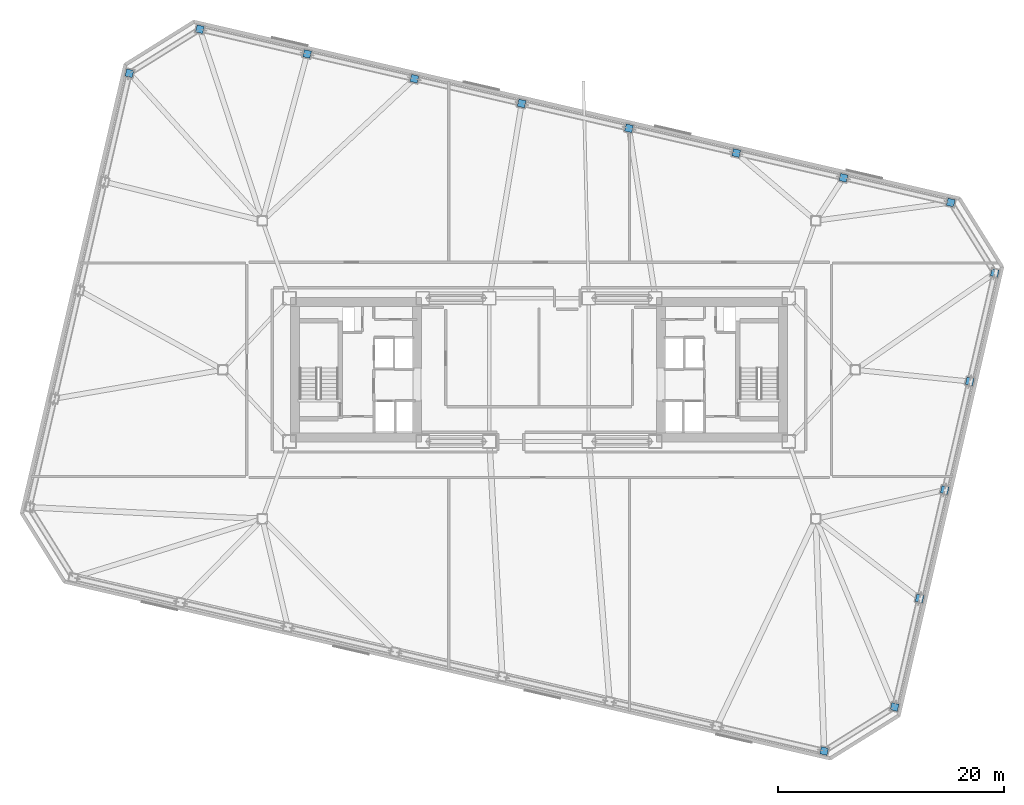
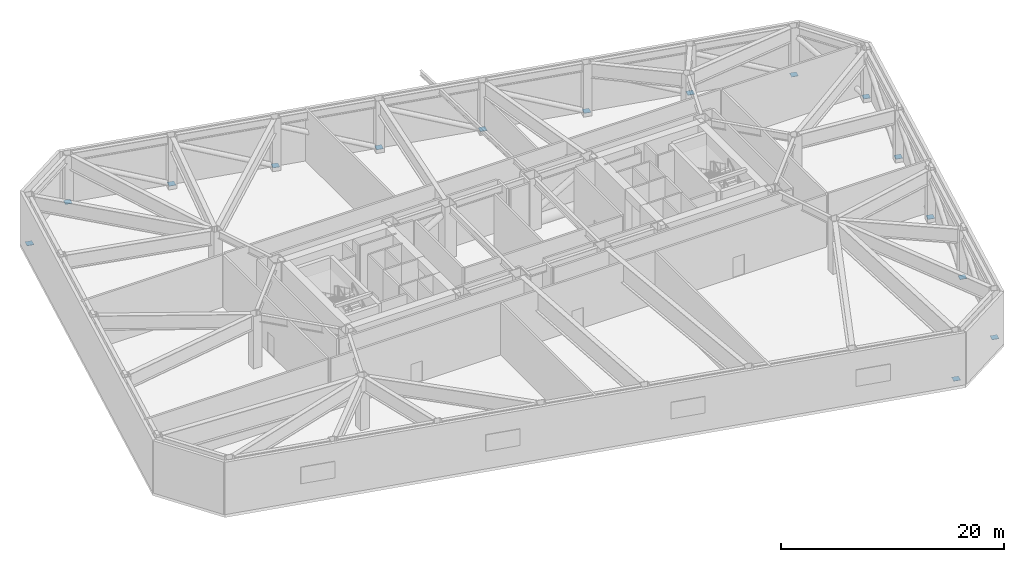
# One storey, part 8 of 15: 15 discrete accessories.
"""IFC4 building model written with IfcOpenShell, lengths in metres."""

from ifc_helpers import new_model, si_unit, direction, frame, origin, origin_2d, place, context, subcontext, project, spatial, rectangle, extrude, material, type_object, element, save


model = new_model("IFC4")

# Units and contexts
model_context = context("Model", 3, precision=1e-05, world=origin(), true_north=direction((0.0, 1.0)))
body_context = subcontext(model_context, "Body", "Model", "MODEL_VIEW")
ifc_project = project(units=[si_unit("LENGTHUNIT", "METRE"), si_unit("AREAUNIT", "SQUARE_METRE"), si_unit("VOLUMEUNIT", "CUBIC_METRE"), si_unit("PLANEANGLEUNIT", "RADIAN"), si_unit("MASSUNIT", "GRAM", prefix="KILO")], contexts=[model_context])

# Site, building, storey
site_placement = place(None, origin())
site = spatial("IfcSite", under=ifc_project, at=site_placement, CompositionType="ELEMENT")
building_placement = place(site_placement, origin())
building = spatial("IfcBuilding", under=site, at=building_placement, Name="Tavrogorsk Clinical Tower", CompositionType="ELEMENT")
storey_placement = place(building_placement, frame((0.0, 0.0, 33.39990234375)))
storey = spatial("IfcBuildingStorey", under=building, at=storey_placement, Name="L06", CompositionType="ELEMENT", Elevation=33.39990234375)

# Discrete accessories
ifc_material = material(Name="Structural steel S440", Category="steel")
discrete_accessory_type = type_object("IfcDiscreteAccessoryType", Name="TrussEndCapBracket", PredefinedType="BRACKET", material=ifc_material)
for number, where, z_axis, x_axis, name in (
    (1, (25.23974609375, -33.756591796875, 0.330078125), (0.0, 0.0, 1.0), (0.974370064785, -0.224951054344, 0.0), "L06 Hollow Node End Cap S8"),
    (2, (31.476318359375, -29.859619140625, 0.330078125), (0.0, 0.0, 1.0), (0.974370064785, -0.224951054344, 0.0), "L06 Hollow Node End Cap E1"),
    (3, (33.694091796875, -20.25244140625, 0.330078125), (0.0, 0.0, 1.0), (0.974370064785, -0.224951054344, 0.0), "L06 Hollow Node End Cap E2"),
    (4, (35.912109375, -10.64501953125, 0.330078125), (0.0, 0.0, 1.0), (0.974370064785, -0.224951054344, 0.0), "L06 Hollow Node End Cap E3"),
    (5, (38.130126953125, -1.037841796875, 0.330078125), (0.0, 0.0, 1.0), (0.974370064785, -0.224951054344, 0.0), "L06 Hollow Node End Cap E4"),
    (6, (40.348388671875, 8.569580078125, 0.330078125), (0.0, 0.0, 1.0), (0.974370064785, -0.224951054344, 0.0), "L06 Hollow Node End Cap E5"),
    (7, (36.451416015625, 14.805908203125, 0.330078125), (0.0, 0.0, 1.0), (0.974370064785, -0.224951054344, 0.0), "L06 Hollow Node End Cap N1"),
    (8, (26.952392578125, 16.998779296875, 0.330078125), (0.0, 0.0, 1.0), (0.974370064785, -0.224951054344, 0.0), "L06 Hollow Node End Cap N2"),
    (9, (17.453857421875, 19.19189453125, 0.330078125), (0.0, 0.0, 1.0), (0.974370064785, -0.224951054344, 0.0), "L06 Hollow Node End Cap N3"),
    (10, (7.955078125, 21.384765625, 0.330078125), (0.0, 0.0, 1.0), (0.974370064785, -0.224951054344, 0.0), "L06 Hollow Node End Cap N4"),
    (11, (-1.543701171875, 23.577880859375, 0.330078125), (0.0, 0.0, 1.0), (0.974370064785, -0.224951054344, 0.0), "L06 Hollow Node End Cap N5"),
    (12, (-11.042236328125, 25.770751953125, 0.330078125), (0.0, 0.0, 1.0), (0.974370064785, -0.224951054344, 0.0), "L06 Hollow Node End Cap N6"),
    (13, (-20.541015625, 27.963623046875, 0.330078125), (0.0, 0.0, 1.0), (0.974370064785, -0.224951054344, 0.0), "L06 Hollow Node End Cap N7"),
    (14, (-30.039794921875, 30.156494140625, 0.330078125), (0.0, 0.0, 1.0), (0.974370064785, -0.224951054344, 0.0), "L06 Hollow Node End Cap N8"),
    (15, (-36.276123046875, 26.259765625, 0.330078125), (0.0, 0.0, 1.0), (0.974370064785, -0.224951054344, 0.0), "L06 Hollow Node End Cap W1"),
):
    element("IfcDiscreteAccessory", number, at=place(storey_placement, frame(where, z_axis=z_axis, x_axis=x_axis)), inside=storey, type_object=discrete_accessory_type, Name=name, PredefinedType="BRACKET", context=body_context, shape_type="SweptSolid", body=[
        extrude(rectangle(XDim=0.64990234375, YDim=0.64990234375, at=origin_2d()), origin(), (0.0, 0.0, 1.0), 0.0400390625),
    ])

save(model, "model.ifc")
